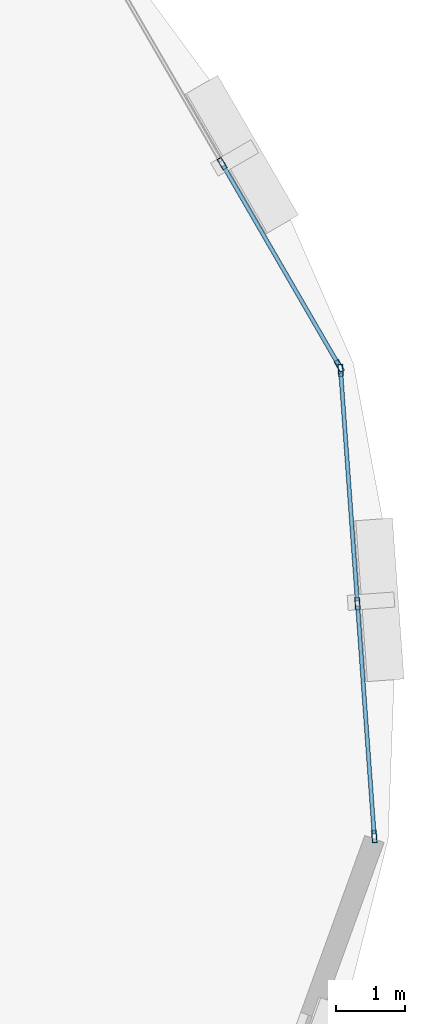
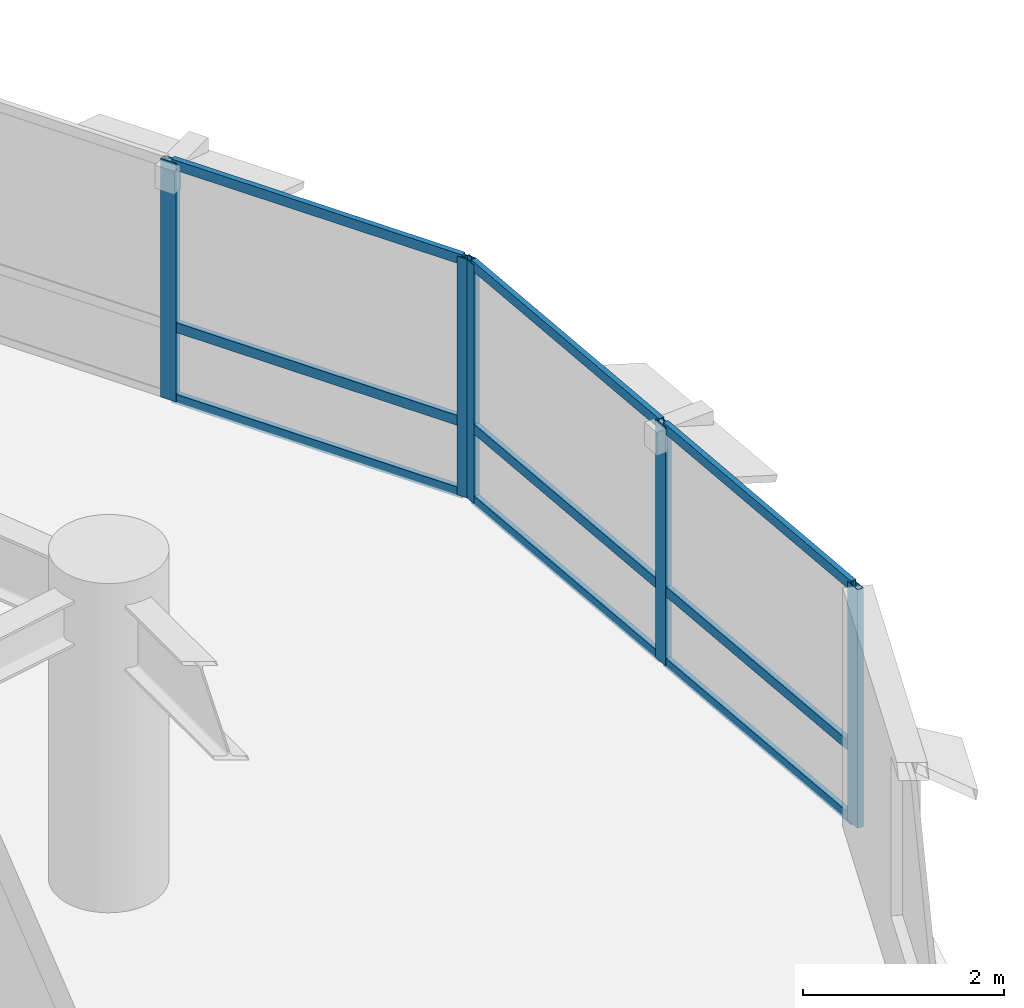
# One storey, part 6 of 15: 14 members, 2 elements without a shape of their own.
"""IFC4 building model written with IfcOpenShell, lengths in metres."""

import ifcopenshell
import ifcopenshell.guid

model = None  # the IFC model being written
_history = None  # IfcOwnerHistory: only IFC2X3 demands one
_inside = {}  # id of a spatial element -> (the spatial element, [elements in it])
_under = {}  # id of a project, library or spatial element -> (it, [spatial elements below it])
_declared = {}  # id of a project -> (the project, [libraries it declares])
_typed = {}  # id of a type object -> (the type object, [elements of that type])
_made_of = {}  # id of a material, layer set ... -> (it, [elements and type objects made of it])


def new_model(schema):
    """Start an empty IFC model of exactly this schema.

    Asked for "IFC4X3", IfcOpenShell would pick the latest addendum, in which some entities
    have other attributes; the version numbers below select the first issue.
    IFC2X3 requires an IfcOwnerHistory on every rooted entity: one is made here for all.
    """
    global model, _history
    if schema == "IFC4X3":
        model = ifcopenshell.file(schema_version=(4, 3, 0, 0))
    else:
        model = ifcopenshell.file(schema=schema)
    _inside.clear()
    _under.clear()
    _declared.clear()
    _typed.clear()
    _made_of.clear()
    _history = None
    if model.schema == "IFC2X3":
        org = make("IfcOrganization", Name="unknown")
        user = make(
            "IfcPersonAndOrganization",
            ThePerson=make("IfcPerson", FamilyName="unknown"),
            TheOrganization=org,
        )
        app = make(
            "IfcApplication",
            ApplicationDeveloper=org,
            Version="unknown",
            ApplicationFullName="unknown",
            ApplicationIdentifier="unknown",
        )
        _history = make(
            "IfcOwnerHistory",
            OwningUser=user,
            OwningApplication=app,
            ChangeAction="ADDED",
            CreationDate=0,
        )
    return model


def make(cls, **values):
    """One entity of the class cls with the attributes given. An attribute that is None is left unset."""
    return model.create_entity(
        cls, **{name: value for name, value in values.items() if value is not None}
    )


def rooted(cls, **values):
    """An entity with a GlobalId (a new one), such as an element, a storey or a relation."""
    return make(cls, GlobalId=ifcopenshell.guid.new(), OwnerHistory=_history, **values)


def si_unit(unit_type, name, prefix=None):
    """IfcSIUnit, for example si_unit("LENGTHUNIT", "METRE", prefix="MILLI")."""
    return make("IfcSIUnit", UnitType=unit_type, Prefix=prefix, Name=name)


def assignment(units):
    """IfcUnitAssignment: the units of a project."""
    return None if units is None else make("IfcUnitAssignment", Units=units)


def point(xyz):
    """IfcCartesianPoint."""
    return None if xyz is None else make("IfcCartesianPoint", Coordinates=xyz)


def direction(xyz):
    """IfcDirection."""
    return None if xyz is None else make("IfcDirection", DirectionRatios=xyz)


def frame(location, z_axis=None, x_axis=None):
    """IfcAxis2Placement3D, a coordinate frame: its origin and axes. An axis left out is left unset."""
    return make(
        "IfcAxis2Placement3D",
        Location=point(location),
        Axis=direction(z_axis),
        RefDirection=direction(x_axis),
    )


def frame_2d(location, x_axis=None):
    """IfcAxis2Placement2D, a coordinate frame in the plane: its origin and x axis."""
    return make(
        "IfcAxis2Placement2D", Location=point(location), RefDirection=direction(x_axis)
    )


def origin():
    """The frame at (0, 0, 0) with its axes left unset."""
    return frame((0.0, 0.0, 0.0))


def origin_2d():
    """The frame at (0, 0) in the plane with its x axis left unset."""
    return frame_2d((0.0, 0.0))


def place(relative_to, where):
    """IfcLocalPlacement: puts the frame where relative to a parent placement (None: the world)."""
    return make(
        "IfcLocalPlacement", PlacementRelTo=relative_to, RelativePlacement=where
    )


def context(
    kind, dimensions, precision=None, world=None, true_north=None, identifier=None
):
    """IfcGeometricRepresentationContext, for example the 3D "Model" context."""
    return make(
        "IfcGeometricRepresentationContext",
        ContextIdentifier=identifier,
        ContextType=kind,
        CoordinateSpaceDimension=dimensions,
        Precision=precision,
        WorldCoordinateSystem=world,
        TrueNorth=true_north,
    )


def subcontext(parent, identifier, kind, view, scale=None):
    """IfcGeometricRepresentationSubContext, for example "Body" below "Model"."""
    return make(
        "IfcGeometricRepresentationSubContext",
        ContextIdentifier=identifier,
        ContextType=kind,
        ParentContext=parent,
        TargetScale=scale,
        TargetView=view,
    )


def project(units=None, contexts=None):
    """IfcProject with its units and contexts."""
    return rooted(
        "IfcProject",
        Name="project",
        RepresentationContexts=contexts,
        UnitsInContext=assignment(units),
    )


def spatial(cls, under=None, at=None, **own):
    """A site, building, storey or space (cls), placed at a placement, below another one or the project."""
    s = rooted(cls, ObjectPlacement=at, **own)
    if under is not None:
        _under.setdefault(under.id(), (under, []))[1].append(s)
    return s


def profile(cls, at=None, kind="AREA", **sizes):
    """A parametric profile (cls). Its sizes go by their IFC names, for example OverallWidth=200.0."""
    return make(cls, ProfileType=kind, Position=at, **sizes)


def hollow_rectangle(**sizes):
    """IfcRectangleHollowProfileDef."""
    return profile("IfcRectangleHollowProfileDef", **sizes)


def extrude(swept, where, along, depth):
    """IfcExtrudedAreaSolid: the profile swept, set in the frame where, extruded along a direction by depth."""
    return make(
        "IfcExtrudedAreaSolid",
        SweptArea=swept,
        Position=where,
        ExtrudedDirection=direction(along),
        Depth=depth,
    )


def shape(context_of_items, identifier, shape_type, items):
    """IfcShapeRepresentation: the items that make up one representation, for example the "Body"."""
    return make(
        "IfcShapeRepresentation",
        ContextOfItems=context_of_items,
        RepresentationIdentifier=identifier,
        RepresentationType=shape_type,
        Items=items,
    )


def material(Name=None, Category=None):
    """IfcMaterial."""
    return make("IfcMaterial", Name=Name, Category=Category)


def layer(
    of_material, thickness, ventilated=None, Name=None, Category=None, Priority=None
):
    """IfcMaterialLayer: one layer of a wall or slab, of a material (None: an air gap)."""
    return make(
        "IfcMaterialLayer",
        Material=of_material,
        LayerThickness=thickness,
        IsVentilated=ventilated,
        Name=Name,
        Category=Category,
        Priority=Priority,
    )


def layer_set(layers, Name=None):
    """IfcMaterialLayerSet."""
    return make("IfcMaterialLayerSet", MaterialLayers=layers, LayerSetName=Name)


def material_profile(
    of_material, cross_section, Name=None, Category=None, Priority=None
):
    """IfcMaterialProfile: a cross section and its material."""
    return make(
        "IfcMaterialProfile",
        Name=Name,
        Material=of_material,
        Profile=cross_section,
        Priority=Priority,
        Category=Category,
    )


def profile_set(profiles, Name=None, composite=None):
    """IfcMaterialProfileSet."""
    return make(
        "IfcMaterialProfileSet",
        Name=Name,
        MaterialProfiles=profiles,
        CompositeProfile=composite,
    )


def made_of(thing, what):
    """Note that an element or type object is made of a material, layer set ...; save() writes the relation."""
    if what is not None:
        _made_of.setdefault(what.id(), (what, []))[1].append(thing)
    return thing


def type_object(cls, material=None, **own):
    """A type object (cls), such as IfcWallType, which elements share."""
    return made_of(rooted(cls, **own), material)


def element(
    cls,
    number,
    at=None,
    inside=None,
    cuts=None,
    type_object=None,
    material=None,
    context=None,
    identifier="Body",
    shape_type=None,
    held_by="IfcProductDefinitionShape",
    body=None,
    shapes=None,
    **own,
):
    """One element of the class cls, such as IfcWall. Its Tag is "e" and its number.

    at: its placement. inside: the storey or other place that contains it. cuts: it is an
    opening in that element (IfcRelVoidsElement). A single representation is given by context,
    identifier, shape_type and body (its items); several are given by shapes. held_by: the class
    of the entity that holds the representations. save() writes the other relations.
    """
    e = rooted(cls, Tag="e%d" % number, ObjectPlacement=at, **own)
    if body is not None:
        shapes = [shape(context, identifier, shape_type, body)]
    if shapes is not None:
        e.Representation = make(held_by, Representations=shapes)
    if inside is not None:
        _inside.setdefault(inside.id(), (inside, []))[1].append(e)
    if cuts is not None:
        rooted(
            "IfcRelVoidsElement", RelatingBuildingElement=cuts, RelatedOpeningElement=e
        )
    if type_object is not None:
        _typed.setdefault(type_object.id(), (type_object, []))[1].append(e)
    return made_of(e, material)


def aggregate(whole, parts):
    """IfcRelAggregates: a whole, such as a stair, and the parts it consists of."""
    return rooted("IfcRelAggregates", RelatingObject=whole, RelatedObjects=parts)


def save(model, path):
    """Write the relations noted so far, then the file.

    IfcRelAggregates (storeys below a building ...), IfcRelContainedInSpatialStructure (elements
    in a storey), IfcRelDefinesByType, IfcRelAssociatesMaterial and IfcRelDeclares: one each for
    every whole, place, type object, material and project.
    """
    for whole, parts in _under.values():
        aggregate(whole, parts)
    for where, things in _inside.values():
        rooted(
            "IfcRelContainedInSpatialStructure",
            RelatedElements=things,
            RelatingStructure=where,
        )
    for kind, things in _typed.values():
        rooted("IfcRelDefinesByType", RelatedObjects=things, RelatingType=kind)
    for what, things in _made_of.values():
        rooted("IfcRelAssociatesMaterial", RelatedObjects=things, RelatingMaterial=what)
    for by, libraries in _declared.values():
        rooted("IfcRelDeclares", RelatingContext=by, RelatedDefinitions=libraries)
    model.write(path)


model = new_model("IFC4")

# Units and contexts
model_context = context("Model", 3, precision=1e-05, world=origin(), true_north=direction((0.0, 1.0)))
body_context = subcontext(model_context, "Body", "Model", "MODEL_VIEW")
ifc_project = project(units=[si_unit("LENGTHUNIT", "METRE"), si_unit("AREAUNIT", "SQUARE_METRE"), si_unit("VOLUMEUNIT", "CUBIC_METRE"), si_unit("PLANEANGLEUNIT", "RADIAN"), si_unit("MASSUNIT", "GRAM", prefix="KILO"), si_unit("THERMODYNAMICTEMPERATUREUNIT", "KELVIN"), si_unit("POWERUNIT", "WATT")], contexts=[model_context])

# Site, building, storey
site_placement = place(None, origin())
site = spatial("IfcSite", under=ifc_project, at=site_placement, CompositionType="ELEMENT")
building_placement = place(site_placement, origin())
building = spatial("IfcBuilding", under=site, at=building_placement, Name="Ocrelia Relay Tower", CompositionType="ELEMENT")
storey_placement = place(building_placement, frame((0.0, 0.0, 105.800048828125)))
storey = spatial("IfcBuildingStorey", under=building, at=storey_placement, Name="L24", CompositionType="ELEMENT", Elevation=105.800048828125)

# Curtain wall, members
ifc_material_1 = material(Name="Aluminium and solar-control low-E glass", Category="aluminium")
ifc_layer = layer(ifc_material_1, 0.179931640625, Name="Aluminium and solar-control low-E glass")
ifc_layer_set = layer_set([ifc_layer], Name="Aluminium and solar-control low-E glass")
curtain_wall_type = type_object("IfcCurtainWallType", Name="CW-SYS-Z2-SWIT", PredefinedType="NOTDEFINED", material=ifc_layer_set)
curtain_wall_1_placement = place(storey_placement, origin())
curtain_wall_1 = element("IfcCurtainWall", 1, at=curtain_wall_1_placement, inside=storey, type_object=curtain_wall_type, Name="L24 Elliptical Tower Curtain Wall Bay 01", PredefinedType="NOTDEFINED")
ifc_material_2 = material(Name="Anodised bronze aluminium", Category="aluminium")
ifc_material_profile_1 = material_profile(ifc_material_2, hollow_rectangle(XDim=0.070068359375, YDim=0.179931640625, WallThickness=0.006103515625, at=origin_2d()), Name="CW-MUL-180x70")
ifc_profile_set_1 = profile_set([ifc_material_profile_1], Name="Anodised bronze aluminium")
member_type_1 = type_object("IfcMemberType", Name="CW-SYS-Z2-SWIT-MUL", PredefinedType="MULLION", material=ifc_profile_set_1)
member_1_placement = place(storey_placement, frame((58.45068359375, 33.5576171875, 0.0), z_axis=(0.0, 0.0, 1.0), x_axis=(-0.865422967919, -0.501042000832, 0.0)))
member_1 = element("IfcMember", 2, at=member_1_placement, type_object=member_type_1, Name="CW-Z2 mullion 1", PredefinedType="MULLION", context=body_context, shape_type="SweptSolid", body=[
    extrude(hollow_rectangle(XDim=0.070068359375, YDim=0.179931640625, WallThickness=0.006103515625, at=origin_2d()), origin(), (0.0, 0.0, 1.0), 2.89990234375),
])
member_2_placement = place(storey_placement, frame((56.744873046875, 36.504150390625, 0.0), z_axis=(0.0, 0.0, 1.0), x_axis=(-0.865422967919, -0.501042000832, 0.0)))
member_2 = element("IfcMember", 3, at=member_2_placement, type_object=member_type_1, Name="CW-Z2 mullion 2", PredefinedType="MULLION", context=body_context, shape_type="SweptSolid", body=[
    extrude(hollow_rectangle(XDim=0.070068359375, YDim=0.179931640625, WallThickness=0.006103515625, at=origin_2d()), origin(), (0.0, 0.0, 1.0), 2.89990234375),
])

curtain_wall_2_placement = place(storey_placement, origin())
curtain_wall_2 = element("IfcCurtainWall", 4, at=curtain_wall_2_placement, inside=storey, type_object=curtain_wall_type, Name="L24 Elliptical Tower Curtain Wall Bay 18", PredefinedType="NOTDEFINED")
member_3_placement = place(storey_placement, frame((58.961181640625, 26.701171875, 0.0), z_axis=(0.0, 0.0, 1.0), x_axis=(-0.997402458777, -0.072030099448, 0.0)))
member_3 = element("IfcMember", 5, at=member_3_placement, type_object=member_type_1, Name="CW-Z2 mullion 1", PredefinedType="MULLION", context=body_context, shape_type="SweptSolid", body=[
    extrude(hollow_rectangle(XDim=0.070068359375, YDim=0.179931640625, WallThickness=0.006103515625, at=origin_2d()), origin(), (0.0, 0.0, 1.0), 2.89990234375),
])
member_4_placement = place(storey_placement, frame((58.716064453125, 30.0966796875, 0.0), z_axis=(0.0, 0.0, 1.0), x_axis=(-0.997402458777, -0.072030099448, 0.0)))
member_4 = element("IfcMember", 6, at=member_4_placement, type_object=member_type_1, Name="CW-Z2 mullion 2", PredefinedType="MULLION", context=body_context, shape_type="SweptSolid", body=[
    extrude(hollow_rectangle(XDim=0.070068359375, YDim=0.179931640625, WallThickness=0.006103515625, at=origin_2d()), origin(), (0.0, 0.0, 1.0), 2.89990234375),
])
member_5_placement = place(storey_placement, frame((58.470703125, 33.492431640625, 0.0), z_axis=(0.0, 0.0, 1.0), x_axis=(-0.997402458777, -0.072030099448, 0.0)))
member_5 = element("IfcMember", 7, at=member_5_placement, type_object=member_type_1, Name="CW-Z2 mullion 3", PredefinedType="MULLION", context=body_context, shape_type="SweptSolid", body=[
    extrude(hollow_rectangle(XDim=0.070068359375, YDim=0.179931640625, WallThickness=0.006103515625, at=origin_2d()), origin(), (0.0, 0.0, 1.0), 2.89990234375),
])

# Member
ifc_material_profile_2 = material_profile(ifc_material_2, hollow_rectangle(XDim=0.06005859375, YDim=0.1201171875, WallThickness=0.0048828125, at=origin_2d()), Name="CW-TRN-120x60")
ifc_profile_set_2 = profile_set([ifc_material_profile_2], Name="Anodised bronze aluminium")
member_type_2 = type_object("IfcMemberType", Name="CW-SYS-Z2-SWIT-TRN", PredefinedType="USERDEFINED", material=ifc_profile_set_2)
member_6_placement = place(storey_placement, frame((58.43310546875, 33.587890625, 0.030029296875), z_axis=(-0.500995866197, 0.865449676211, 0.0), x_axis=(-0.865449676211, -0.500995866197, 0.0)))
member_6 = element("IfcMember", 8, at=member_6_placement, type_object=member_type_2, Name="CW-Z2 transom 1.1", ObjectType="TRANSOM", PredefinedType="USERDEFINED", context=body_context, shape_type="SweptSolid", body=[
    extrude(hollow_rectangle(XDim=0.06005859375, YDim=0.1201171875, WallThickness=0.0048828125, at=origin_2d()), origin(), (0.0, 0.0, 1.0), 3.334716796875),
])

member_7_placement = place(storey_placement, frame((58.43310546875, 33.587890625, 0.89990234375), z_axis=(-0.500995866197, 0.865449676211, 0.0), x_axis=(-0.865449676211, -0.500995866197, 0.0)))
member_7 = element("IfcMember", 9, at=member_7_placement, type_object=member_type_2, Name="CW-Z2 transom 1.2", ObjectType="TRANSOM", PredefinedType="USERDEFINED", context=body_context, shape_type="SweptSolid", body=[
    extrude(hollow_rectangle(XDim=0.06005859375, YDim=0.1201171875, WallThickness=0.0048828125, at=origin_2d()), origin(), (0.0, 0.0, 1.0), 3.334716796875),
])

member_8_placement = place(storey_placement, frame((58.43310546875, 33.587890625, 2.869873046875), z_axis=(-0.500995866197, 0.865449676211, 0.0), x_axis=(-0.865449676211, -0.500995866197, 0.0)))
member_8 = element("IfcMember", 10, at=member_8_placement, type_object=member_type_2, Name="CW-Z2 transom 1.3", ObjectType="TRANSOM", PredefinedType="USERDEFINED", context=body_context, shape_type="SweptSolid", body=[
    extrude(hollow_rectangle(XDim=0.06005859375, YDim=0.1201171875, WallThickness=0.0048828125, at=origin_2d()), origin(), (0.0, 0.0, 1.0), 3.334716796875),
])

aggregate(curtain_wall_1, [member_1, member_2, member_6, member_7, member_8])

member_9_placement = place(storey_placement, frame((58.958740234375, 26.736083984375, 0.030029296875), z_axis=(-0.072043095926, 0.997401520116, 0.0), x_axis=(-0.997401520116, -0.072043095926, 0.0)))
member_9 = element("IfcMember", 11, at=member_9_placement, type_object=member_type_2, Name="CW-Z2 transom 1.1", ObjectType="TRANSOM", PredefinedType="USERDEFINED", context=body_context, shape_type="SweptSolid", body=[
    extrude(hollow_rectangle(XDim=0.06005859375, YDim=0.1201171875, WallThickness=0.0048828125, at=origin_2d()), origin(), (0.0, 0.0, 1.0), 3.33447265625),
])

member_10_placement = place(storey_placement, frame((58.958740234375, 26.736083984375, 0.89990234375), z_axis=(-0.072043095926, 0.997401520116, 0.0), x_axis=(-0.997401520116, -0.072043095926, 0.0)))
member_10 = element("IfcMember", 12, at=member_10_placement, type_object=member_type_2, Name="CW-Z2 transom 1.2", ObjectType="TRANSOM", PredefinedType="USERDEFINED", context=body_context, shape_type="SweptSolid", body=[
    extrude(hollow_rectangle(XDim=0.06005859375, YDim=0.1201171875, WallThickness=0.0048828125, at=origin_2d()), origin(), (0.0, 0.0, 1.0), 3.33447265625),
])

member_11_placement = place(storey_placement, frame((58.958740234375, 26.736083984375, 2.869873046875), z_axis=(-0.072043095926, 0.997401520116, 0.0), x_axis=(-0.997401520116, -0.072043095926, 0.0)))
member_11 = element("IfcMember", 13, at=member_11_placement, type_object=member_type_2, Name="CW-Z2 transom 1.3", ObjectType="TRANSOM", PredefinedType="USERDEFINED", context=body_context, shape_type="SweptSolid", body=[
    extrude(hollow_rectangle(XDim=0.06005859375, YDim=0.1201171875, WallThickness=0.0048828125, at=origin_2d()), origin(), (0.0, 0.0, 1.0), 3.33447265625),
])

member_12_placement = place(storey_placement, frame((58.713623046875, 30.131591796875, 0.030029296875), z_axis=(-0.072043095926, 0.997401520116, 0.0), x_axis=(-0.997401520116, -0.072043095926, 0.0)))
member_12 = element("IfcMember", 14, at=member_12_placement, type_object=member_type_2, Name="CW-Z2 transom 2.1", ObjectType="TRANSOM", PredefinedType="USERDEFINED", context=body_context, shape_type="SweptSolid", body=[
    extrude(hollow_rectangle(XDim=0.06005859375, YDim=0.1201171875, WallThickness=0.0048828125, at=origin_2d()), origin(), (0.0, 0.0, 1.0), 3.33447265625),
])

member_13_placement = place(storey_placement, frame((58.713623046875, 30.131591796875, 0.89990234375), z_axis=(-0.072043095926, 0.997401520116, 0.0), x_axis=(-0.997401520116, -0.072043095926, 0.0)))
member_13 = element("IfcMember", 15, at=member_13_placement, type_object=member_type_2, Name="CW-Z2 transom 2.2", ObjectType="TRANSOM", PredefinedType="USERDEFINED", context=body_context, shape_type="SweptSolid", body=[
    extrude(hollow_rectangle(XDim=0.06005859375, YDim=0.1201171875, WallThickness=0.0048828125, at=origin_2d()), origin(), (0.0, 0.0, 1.0), 3.33447265625),
])

member_14_placement = place(storey_placement, frame((58.713623046875, 30.131591796875, 2.869873046875), z_axis=(-0.072043095926, 0.997401520116, 0.0), x_axis=(-0.997401520116, -0.072043095926, 0.0)))
member_14 = element("IfcMember", 16, at=member_14_placement, type_object=member_type_2, Name="CW-Z2 transom 2.3", ObjectType="TRANSOM", PredefinedType="USERDEFINED", context=body_context, shape_type="SweptSolid", body=[
    extrude(hollow_rectangle(XDim=0.06005859375, YDim=0.1201171875, WallThickness=0.0048828125, at=origin_2d()), origin(), (0.0, 0.0, 1.0), 3.33447265625),
])

aggregate(curtain_wall_2, [member_3, member_4, member_5, member_9, member_10, member_11, member_12, member_13, member_14])

save(model, "model.ifc")
